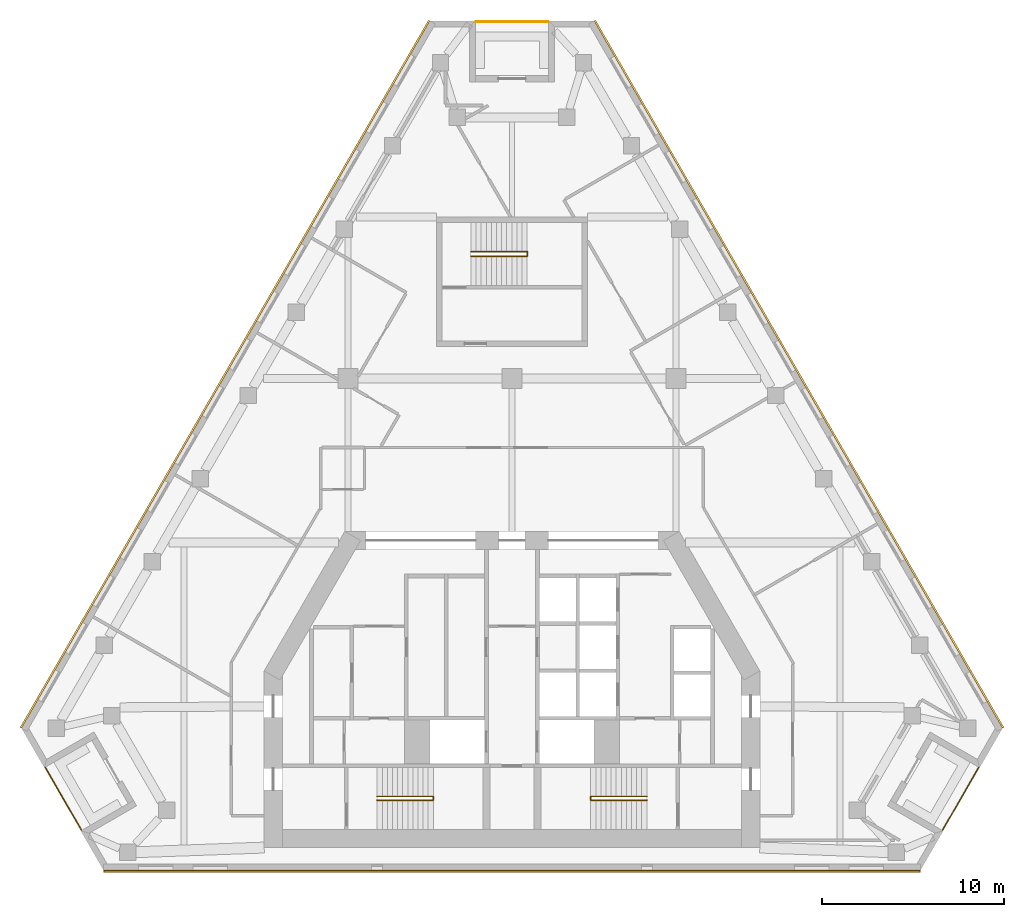
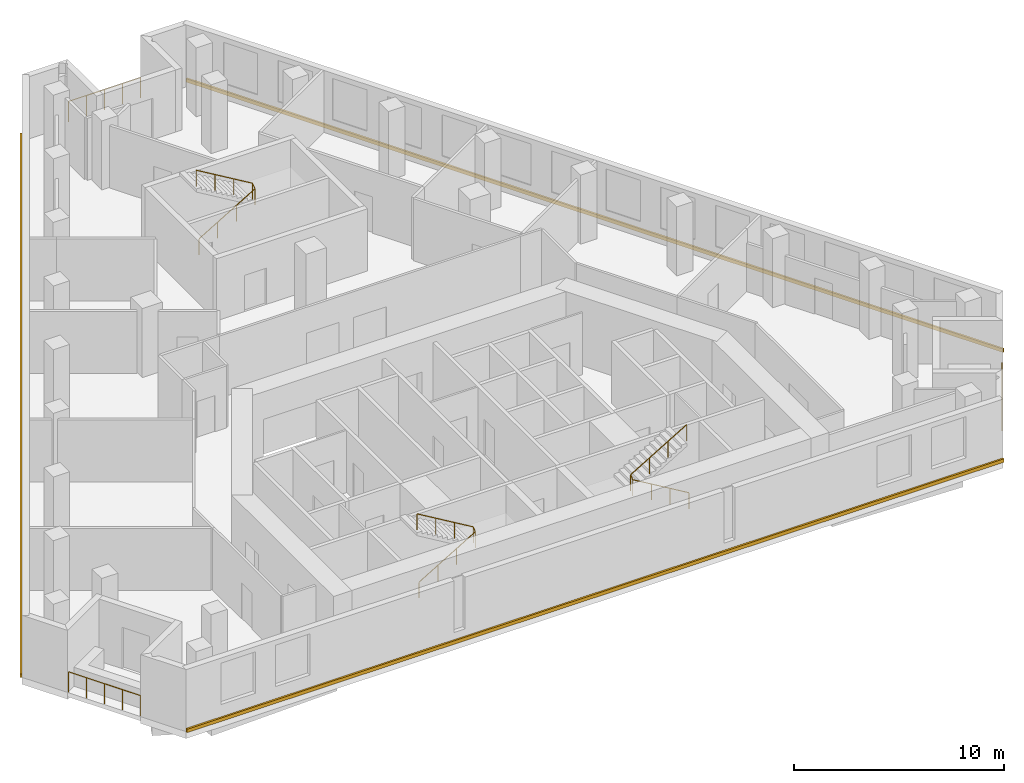
# One storey, part 8 of 8: 6 railings, 3 coverings.
"""IFC4 building model written with IfcOpenShell, lengths in metres."""

import ifcopenshell
import ifcopenshell.guid

model = None  # the IFC model being written
_history = None  # IfcOwnerHistory: only IFC2X3 demands one
_inside = {}  # id of a spatial element -> (the spatial element, [elements in it])
_under = {}  # id of a project, library or spatial element -> (it, [spatial elements below it])
_declared = {}  # id of a project -> (the project, [libraries it declares])
_typed = {}  # id of a type object -> (the type object, [elements of that type])
_made_of = {}  # id of a material, layer set ... -> (it, [elements and type objects made of it])


def new_model(schema):
    """Start an empty IFC model of exactly this schema.

    Asked for "IFC4X3", IfcOpenShell would pick the latest addendum, in which some entities
    have other attributes; the version numbers below select the first issue.
    IFC2X3 requires an IfcOwnerHistory on every rooted entity: one is made here for all.
    """
    global model, _history
    if schema == "IFC4X3":
        model = ifcopenshell.file(schema_version=(4, 3, 0, 0))
    else:
        model = ifcopenshell.file(schema=schema)
    _inside.clear()
    _under.clear()
    _declared.clear()
    _typed.clear()
    _made_of.clear()
    _history = None
    if model.schema == "IFC2X3":
        org = make("IfcOrganization", Name="unknown")
        user = make(
            "IfcPersonAndOrganization",
            ThePerson=make("IfcPerson", FamilyName="unknown"),
            TheOrganization=org,
        )
        app = make(
            "IfcApplication",
            ApplicationDeveloper=org,
            Version="unknown",
            ApplicationFullName="unknown",
            ApplicationIdentifier="unknown",
        )
        _history = make(
            "IfcOwnerHistory",
            OwningUser=user,
            OwningApplication=app,
            ChangeAction="ADDED",
            CreationDate=0,
        )
    return model


def make(cls, **values):
    """One entity of the class cls with the attributes given. An attribute that is None is left unset."""
    return model.create_entity(
        cls, **{name: value for name, value in values.items() if value is not None}
    )


def rooted(cls, **values):
    """An entity with a GlobalId (a new one), such as an element, a storey or a relation."""
    return make(cls, GlobalId=ifcopenshell.guid.new(), OwnerHistory=_history, **values)


def si_unit(unit_type, name, prefix=None):
    """IfcSIUnit, for example si_unit("LENGTHUNIT", "METRE", prefix="MILLI")."""
    return make("IfcSIUnit", UnitType=unit_type, Prefix=prefix, Name=name)


def assignment(units):
    """IfcUnitAssignment: the units of a project."""
    return None if units is None else make("IfcUnitAssignment", Units=units)


def point(xyz):
    """IfcCartesianPoint."""
    return None if xyz is None else make("IfcCartesianPoint", Coordinates=xyz)


def direction(xyz):
    """IfcDirection."""
    return None if xyz is None else make("IfcDirection", DirectionRatios=xyz)


def frame(location, z_axis=None, x_axis=None):
    """IfcAxis2Placement3D, a coordinate frame: its origin and axes. An axis left out is left unset."""
    return make(
        "IfcAxis2Placement3D",
        Location=point(location),
        Axis=direction(z_axis),
        RefDirection=direction(x_axis),
    )


def frame_2d(location, x_axis=None):
    """IfcAxis2Placement2D, a coordinate frame in the plane: its origin and x axis."""
    return make(
        "IfcAxis2Placement2D", Location=point(location), RefDirection=direction(x_axis)
    )


def origin():
    """The frame at (0, 0, 0) with its axes left unset."""
    return frame((0.0, 0.0, 0.0))


def origin_2d():
    """The frame at (0, 0) in the plane with its x axis left unset."""
    return frame_2d((0.0, 0.0))


def place(relative_to, where):
    """IfcLocalPlacement: puts the frame where relative to a parent placement (None: the world)."""
    return make(
        "IfcLocalPlacement", PlacementRelTo=relative_to, RelativePlacement=where
    )


def context(
    kind, dimensions, precision=None, world=None, true_north=None, identifier=None
):
    """IfcGeometricRepresentationContext, for example the 3D "Model" context."""
    return make(
        "IfcGeometricRepresentationContext",
        ContextIdentifier=identifier,
        ContextType=kind,
        CoordinateSpaceDimension=dimensions,
        Precision=precision,
        WorldCoordinateSystem=world,
        TrueNorth=true_north,
    )


def subcontext(parent, identifier, kind, view, scale=None):
    """IfcGeometricRepresentationSubContext, for example "Body" below "Model"."""
    return make(
        "IfcGeometricRepresentationSubContext",
        ContextIdentifier=identifier,
        ContextType=kind,
        ParentContext=parent,
        TargetScale=scale,
        TargetView=view,
    )


def project(units=None, contexts=None):
    """IfcProject with its units and contexts."""
    return rooted(
        "IfcProject",
        Name="project",
        RepresentationContexts=contexts,
        UnitsInContext=assignment(units),
    )


def spatial(cls, under=None, at=None, **own):
    """A site, building, storey or space (cls), placed at a placement, below another one or the project."""
    s = rooted(cls, ObjectPlacement=at, **own)
    if under is not None:
        _under.setdefault(under.id(), (under, []))[1].append(s)
    return s


def polyline(points):
    """IfcPolyline through the points."""
    return make("IfcPolyline", Points=[point(p) for p in points])


def profile(cls, at=None, kind="AREA", **sizes):
    """A parametric profile (cls). Its sizes go by their IFC names, for example OverallWidth=200.0."""
    return make(cls, ProfileType=kind, Position=at, **sizes)


def circle(**sizes):
    """IfcCircleProfileDef."""
    return profile("IfcCircleProfileDef", **sizes)


def outline(outer, holes=None, kind="AREA"):
    """IfcArbitraryClosedProfileDef: a profile drawn as a closed curve; with holes, ...WithVoids."""
    if holes is None:
        return make("IfcArbitraryClosedProfileDef", ProfileType=kind, OuterCurve=outer)
    return make(
        "IfcArbitraryProfileDefWithVoids",
        ProfileType=kind,
        OuterCurve=outer,
        InnerCurves=holes,
    )


def extrude(swept, where, along, depth):
    """IfcExtrudedAreaSolid: the profile swept, set in the frame where, extruded along a direction by depth."""
    return make(
        "IfcExtrudedAreaSolid",
        SweptArea=swept,
        Position=where,
        ExtrudedDirection=direction(along),
        Depth=depth,
    )


def shape(context_of_items, identifier, shape_type, items):
    """IfcShapeRepresentation: the items that make up one representation, for example the "Body"."""
    return make(
        "IfcShapeRepresentation",
        ContextOfItems=context_of_items,
        RepresentationIdentifier=identifier,
        RepresentationType=shape_type,
        Items=items,
    )


def material(Name=None, Category=None):
    """IfcMaterial."""
    return make("IfcMaterial", Name=Name, Category=Category)


def made_of(thing, what):
    """Note that an element or type object is made of a material, layer set ...; save() writes the relation."""
    if what is not None:
        _made_of.setdefault(what.id(), (what, []))[1].append(thing)
    return thing


def type_object(cls, material=None, **own):
    """A type object (cls), such as IfcWallType, which elements share."""
    return made_of(rooted(cls, **own), material)


def element(
    cls,
    number,
    at=None,
    inside=None,
    cuts=None,
    type_object=None,
    material=None,
    context=None,
    identifier="Body",
    shape_type=None,
    held_by="IfcProductDefinitionShape",
    body=None,
    shapes=None,
    **own,
):
    """One element of the class cls, such as IfcWall. Its Tag is "e" and its number.

    at: its placement. inside: the storey or other place that contains it. cuts: it is an
    opening in that element (IfcRelVoidsElement). A single representation is given by context,
    identifier, shape_type and body (its items); several are given by shapes. held_by: the class
    of the entity that holds the representations. save() writes the other relations.
    """
    e = rooted(cls, Tag="e%d" % number, ObjectPlacement=at, **own)
    if body is not None:
        shapes = [shape(context, identifier, shape_type, body)]
    if shapes is not None:
        e.Representation = make(held_by, Representations=shapes)
    if inside is not None:
        _inside.setdefault(inside.id(), (inside, []))[1].append(e)
    if cuts is not None:
        rooted(
            "IfcRelVoidsElement", RelatingBuildingElement=cuts, RelatedOpeningElement=e
        )
    if type_object is not None:
        _typed.setdefault(type_object.id(), (type_object, []))[1].append(e)
    return made_of(e, material)


def aggregate(whole, parts):
    """IfcRelAggregates: a whole, such as a stair, and the parts it consists of."""
    return rooted("IfcRelAggregates", RelatingObject=whole, RelatedObjects=parts)


def save(model, path):
    """Write the relations noted so far, then the file.

    IfcRelAggregates (storeys below a building ...), IfcRelContainedInSpatialStructure (elements
    in a storey), IfcRelDefinesByType, IfcRelAssociatesMaterial and IfcRelDeclares: one each for
    every whole, place, type object, material and project.
    """
    for whole, parts in _under.values():
        aggregate(whole, parts)
    for where, things in _inside.values():
        rooted(
            "IfcRelContainedInSpatialStructure",
            RelatedElements=things,
            RelatingStructure=where,
        )
    for kind, things in _typed.values():
        rooted("IfcRelDefinesByType", RelatedObjects=things, RelatingType=kind)
    for what, things in _made_of.values():
        rooted("IfcRelAssociatesMaterial", RelatedObjects=things, RelatingMaterial=what)
    for by, libraries in _declared.values():
        rooted("IfcRelDeclares", RelatingContext=by, RelatedDefinitions=libraries)
    model.write(path)


model = new_model("IFC4")

# Units and contexts
model_context = context("Model", 3, precision=1e-05, world=origin(), true_north=direction((0.0, 1.0)))
body_context = subcontext(model_context, "Body", "Model", "MODEL_VIEW")
ifc_project = project(units=[si_unit("LENGTHUNIT", "METRE"), si_unit("AREAUNIT", "SQUARE_METRE"), si_unit("VOLUMEUNIT", "CUBIC_METRE"), si_unit("PLANEANGLEUNIT", "RADIAN"), si_unit("MASSUNIT", "GRAM", prefix="KILO")], contexts=[model_context])

# Site, building, storey
site_placement = place(None, origin())
site = spatial("IfcSite", under=ifc_project, at=site_placement, CompositionType="ELEMENT")
building_placement = place(site_placement, origin())
building = spatial("IfcBuilding", under=site, at=building_placement, Name="Fogline Exchange Tower", CompositionType="ELEMENT")
storey_placement = place(building_placement, frame((0.0, 0.0, 223.5)))
storey = spatial("IfcBuildingStorey", under=building, at=storey_placement, Name="L50", CompositionType="ELEMENT", Elevation=223.5)

# Railings
ifc_material_1 = material(Name="Stainless steel 304", Category="steel")
railing_type_1 = type_object("IfcRailingType", Name="G1", PredefinedType="GUARDRAIL", material=ifc_material_1)
railing_1_placement = place(storey_placement, frame((-25.6103515625, 5.635986328125, 0.0)))
element("IfcRailing", 1, at=railing_1_placement, inside=storey, type_object=railing_type_1, Name="Balcony guard L50 SW", PredefinedType="GUARDRAIL", context=body_context, shape_type="SweptSolid", body=[
    extrude(circle(Radius=0.02392578125, at=origin_2d()), frame((0.0, 0.0, 1.17578125), z_axis=(0.500000102728, -0.866025344474, 0.0), x_axis=(0.866025344474, 0.500000102728, 0.0)), (0.0, 0.0, 1.0), 3.9580078125),
    extrude(circle(Radius=0.02099609375, at=origin_2d()), origin(), (0.0, 0.0, 1.0), 1.15185546875),
    extrude(circle(Radius=0.02099609375, at=origin_2d()), frame((0.49462890625, -0.85693359375, 0.0)), (0.0, 0.0, 1.0), 1.15185546875),
    extrude(circle(Radius=0.02099609375, at=origin_2d()), frame((0.989501953125, -1.7138671875, 0.0)), (0.0, 0.0, 1.0), 1.15185546875),
    extrude(circle(Radius=0.02099609375, at=origin_2d()), frame((1.484375, -2.57080078125, 0.0)), (0.0, 0.0, 1.0), 1.15185546875),
    extrude(circle(Radius=0.02099609375, at=origin_2d()), frame((1.97900390625, -3.427734375, 0.0)), (0.0, 0.0, 1.0), 1.15185546875),
])
railing_2_placement = place(storey_placement, frame((23.63134765625, 2.208251953125, 0.0)))
element("IfcRailing", 2, at=railing_2_placement, inside=storey, type_object=railing_type_1, Name="Balcony guard L50 SE", PredefinedType="GUARDRAIL", context=body_context, shape_type="SweptSolid", body=[
    extrude(circle(Radius=0.02392578125, at=origin_2d()), frame((0.0, 0.0, 1.17578125), z_axis=(0.500000102728, 0.866025344474, 0.0), x_axis=(-0.866025344474, 0.500000102728, 0.0)), (0.0, 0.0, 1.0), 3.9580078125),
    extrude(circle(Radius=0.02099609375, at=origin_2d()), origin(), (0.0, 0.0, 1.0), 1.15185546875),
    extrude(circle(Radius=0.02099609375, at=origin_2d()), frame((0.49462890625, 0.85693359375, 0.0)), (0.0, 0.0, 1.0), 1.15185546875),
    extrude(circle(Radius=0.02099609375, at=origin_2d()), frame((0.989501953125, 1.7138671875, 0.0)), (0.0, 0.0, 1.0), 1.15185546875),
    extrude(circle(Radius=0.02099609375, at=origin_2d()), frame((1.484375, 2.57080078125, 0.0)), (0.0, 0.0, 1.0), 1.15185546875),
    extrude(circle(Radius=0.02099609375, at=origin_2d()), frame((1.97900390625, 3.427734375, 0.0)), (0.0, 0.0, 1.0), 1.15185546875),
])
railing_3_placement = place(storey_placement, frame((1.97900390625, 46.566650390625, 0.0)))
element("IfcRailing", 3, at=railing_3_placement, inside=storey, type_object=railing_type_1, Name="Balcony guard L50 N", PredefinedType="GUARDRAIL", context=body_context, shape_type="SweptSolid", body=[
    extrude(circle(Radius=0.02392578125, at=origin_2d()), frame((0.0, 0.0, 1.17578125), z_axis=(-1.0, 0.0, 0.0), x_axis=(0.0, -1.0, 0.0)), (0.0, 0.0, 1.0), 3.9580078125),
    extrude(circle(Radius=0.02099609375, at=origin_2d()), origin(), (0.0, 0.0, 1.0), 1.15185546875),
    extrude(circle(Radius=0.02099609375, at=origin_2d()), frame((-0.989501953125, 0.0, 0.0)), (0.0, 0.0, 1.0), 1.15185546875),
    extrude(circle(Radius=0.02099609375, at=origin_2d()), frame((-1.97900390625, 0.0, 0.0)), (0.0, 0.0, 1.0), 1.15185546875),
    extrude(circle(Radius=0.02099609375, at=origin_2d()), frame((-2.968505859375, 0.0, 0.0)), (0.0, 0.0, 1.0), 1.15185546875),
    extrude(circle(Radius=0.02099609375, at=origin_2d()), frame((-3.9580078125, 0.0, 0.0)), (0.0, 0.0, 1.0), 1.15185546875),
])
ifc_material_2 = material(Name="Steel Q235B", Category="steel")
railing_type_2 = type_object("IfcRailingType", Name="RL-HR", PredefinedType="HANDRAIL", material=ifc_material_2)
railing_4_placement = place(storey_placement, frame((-7.39990234375, 3.85009765625, 0.166748046875)))
element("IfcRailing", 4, at=railing_4_placement, inside=storey, type_object=railing_type_2, Name="Handrail ST1", PredefinedType="HANDRAIL", context=body_context, shape_type="SweptSolid", body=[
    extrude(circle(Radius=0.02392578125, at=origin_2d()), frame((0.0, 0.0, 0.92578125), z_axis=(0.859290745958, 0.0, 0.51148745235), x_axis=(0.0, 1.0, 0.0)), (0.0, 0.0, 1.0), 3.584228515625),
    extrude(circle(Radius=0.02392578125, at=origin_2d()), frame((3.079833984375, 0.0, 2.75927734375), z_axis=(0.0, 0.767990643491, 0.640461061666), x_axis=(-1.0, 0.0, 0.0)), (0.0, 0.0, 1.0), 0.26025390625),
    extrude(circle(Radius=0.02392578125, at=origin_2d()), frame((3.079833984375, 0.199951171875, 2.92578125), z_axis=(-0.859290745958, 0.0, 0.51148745235), x_axis=(0.0, -1.0, 0.0)), (0.0, 0.0, 1.0), 3.584228515625),
    extrude(circle(Radius=0.02099609375, at=origin_2d()), origin(), (0.0, 0.0, 1.0), 0.90185546875),
    extrude(circle(Radius=0.02099609375, at=origin_2d()), frame((1.026611328125, 0.0, 0.611083984375)), (0.0, 0.0, 1.0), 0.90185546875),
    extrude(circle(Radius=0.02099609375, at=origin_2d()), frame((2.05322265625, 0.0, 1.22216796875)), (0.0, 0.0, 1.0), 0.90185546875),
    extrude(circle(Radius=0.02099609375, at=origin_2d()), frame((3.079833984375, 0.0, 1.833251953125)), (0.0, 0.0, 1.0), 0.90185546875),
    extrude(circle(Radius=0.02099609375, at=origin_2d()), frame((3.079833984375, 0.199951171875, 2.0)), (0.0, 0.0, 1.0), 0.90185546875),
    extrude(circle(Radius=0.02099609375, at=origin_2d()), frame((2.05322265625, 0.199951171875, 2.611083984375)), (0.0, 0.0, 1.0), 0.90185546875),
    extrude(circle(Radius=0.02099609375, at=origin_2d()), frame((1.026611328125, 0.199951171875, 3.22216796875)), (0.0, 0.0, 1.0), 0.90185546875),
    extrude(circle(Radius=0.02099609375, at=origin_2d()), frame((0.0, 0.199951171875, 3.833251953125)), (0.0, 0.0, 1.0), 0.90185546875),
])
railing_5_placement = place(storey_placement, frame((7.39990234375, 3.85009765625, 0.166748046875)))
element("IfcRailing", 5, at=railing_5_placement, inside=storey, type_object=railing_type_2, Name="Handrail ST2", PredefinedType="HANDRAIL", context=body_context, shape_type="SweptSolid", body=[
    extrude(circle(Radius=0.02392578125, at=origin_2d()), frame((0.0, 0.0, 0.92578125), z_axis=(-0.859290745958, 0.0, 0.51148745235), x_axis=(0.0, -1.0, 0.0)), (0.0, 0.0, 1.0), 3.584228515625),
    extrude(circle(Radius=0.02392578125, at=origin_2d()), frame((-3.079833984375, 0.0, 2.75927734375), z_axis=(0.0, 0.767990643491, 0.640461061666), x_axis=(-1.0, 0.0, 0.0)), (0.0, 0.0, 1.0), 0.26025390625),
    extrude(circle(Radius=0.02392578125, at=origin_2d()), frame((-3.079833984375, 0.199951171875, 2.92578125), z_axis=(0.859290745958, 0.0, 0.51148745235), x_axis=(0.0, 1.0, 0.0)), (0.0, 0.0, 1.0), 3.584228515625),
    extrude(circle(Radius=0.02099609375, at=origin_2d()), origin(), (0.0, 0.0, 1.0), 0.90185546875),
    extrude(circle(Radius=0.02099609375, at=origin_2d()), frame((-1.026611328125, 0.0, 0.611083984375)), (0.0, 0.0, 1.0), 0.90185546875),
    extrude(circle(Radius=0.02099609375, at=origin_2d()), frame((-2.05322265625, 0.0, 1.22216796875)), (0.0, 0.0, 1.0), 0.90185546875),
    extrude(circle(Radius=0.02099609375, at=origin_2d()), frame((-3.079833984375, 0.0, 1.833251953125)), (0.0, 0.0, 1.0), 0.90185546875),
    extrude(circle(Radius=0.02099609375, at=origin_2d()), frame((-3.079833984375, 0.199951171875, 2.0)), (0.0, 0.0, 1.0), 0.90185546875),
    extrude(circle(Radius=0.02099609375, at=origin_2d()), frame((-2.05322265625, 0.199951171875, 2.611083984375)), (0.0, 0.0, 1.0), 0.90185546875),
    extrude(circle(Radius=0.02099609375, at=origin_2d()), frame((-1.026611328125, 0.199951171875, 3.22216796875)), (0.0, 0.0, 1.0), 0.90185546875),
    extrude(circle(Radius=0.02099609375, at=origin_2d()), frame((0.0, 0.199951171875, 3.833251953125)), (0.0, 0.0, 1.0), 0.90185546875),
])
railing_6_placement = place(storey_placement, frame((-2.25, 33.70703125, 0.166748046875)))
element("IfcRailing", 6, at=railing_6_placement, inside=storey, type_object=railing_type_2, Name="Handrail ST3", PredefinedType="HANDRAIL", context=body_context, shape_type="SweptSolid", body=[
    extrude(circle(Radius=0.02392578125, at=origin_2d()), frame((0.0, 0.0, 0.92578125), z_axis=(0.859308565015, 0.0, 0.511457515432), x_axis=(0.0, 1.0, 0.0)), (0.0, 0.0, 1.0), 3.58447265625),
    extrude(circle(Radius=0.02392578125, at=origin_2d()), frame((3.080078125, 0.0, 2.75927734375), z_axis=(0.0, 0.831925284441, 0.554887665306), x_axis=(-1.0, 0.0, 0.0)), (0.0, 0.0, 1.0), 0.300537109375),
    extrude(circle(Radius=0.02392578125, at=origin_2d()), frame((3.080078125, 0.25, 2.92578125), z_axis=(-0.859308565015, 0.0, 0.511457515432), x_axis=(0.0, -1.0, 0.0)), (0.0, 0.0, 1.0), 3.58447265625),
    extrude(circle(Radius=0.02099609375, at=origin_2d()), origin(), (0.0, 0.0, 1.0), 0.90185546875),
    extrude(circle(Radius=0.02099609375, at=origin_2d()), frame((1.026611328125, 0.0, 0.611083984375)), (0.0, 0.0, 1.0), 0.90185546875),
    extrude(circle(Radius=0.02099609375, at=origin_2d()), frame((2.053466796875, 0.0, 1.22216796875)), (0.0, 0.0, 1.0), 0.90185546875),
    extrude(circle(Radius=0.02099609375, at=origin_2d()), frame((3.080078125, 0.0, 1.833251953125)), (0.0, 0.0, 1.0), 0.90185546875),
    extrude(circle(Radius=0.02099609375, at=origin_2d()), frame((3.080078125, 0.25, 2.0)), (0.0, 0.0, 1.0), 0.90185546875),
    extrude(circle(Radius=0.02099609375, at=origin_2d()), frame((2.053466796875, 0.25, 2.611083984375)), (0.0, 0.0, 1.0), 0.90185546875),
    extrude(circle(Radius=0.02099609375, at=origin_2d()), frame((1.026611328125, 0.25, 3.22216796875)), (0.0, 0.0, 1.0), 0.90185546875),
    extrude(circle(Radius=0.02099609375, at=origin_2d()), frame((0.0, 0.25, 3.833251953125)), (0.0, 0.0, 1.0), 0.90185546875),
])

# Coverings
ifc_material_3 = material(Name="Brick masonry", Category="masonry")
covering_type = type_object("IfcCoveringType", Name="SB1", PredefinedType="CLADDING", material=ifc_material_3)
covering_1_placement = place(storey_placement, origin())
element("IfcCovering", 7, at=covering_1_placement, inside=storey, type_object=covering_type, Name="Stringcourse band L50 S", PredefinedType="CLADDING", context=body_context, shape_type="SweptSolid", body=[
    extrude(outline(polyline([(-22.4140625, 0.0), (-22.4140625, -0.10009765625), (22.4140625, -0.10009765625), (22.4140625, 0.0), (-22.4140625, 0.0)])), origin(), (0.0, 0.0, 1.0), 0.199951171875),
])
covering_2_placement = place(storey_placement, origin())
element("IfcCovering", 8, at=covering_2_placement, inside=storey, type_object=covering_type, Name="Stringcourse band L50 E", PredefinedType="CLADDING", context=body_context, shape_type="SweptSolid", body=[
    extrude(outline(polyline([(26.9140625, 7.794189453125), (27.000732421875, 7.84423828125), (4.586669921875, 46.666748046875), (4.5, 46.61669921875), (26.9140625, 7.794189453125)])), origin(), (0.0, 0.0, 1.0), 0.199951171875),
])
covering_3_placement = place(storey_placement, origin())
element("IfcCovering", 9, at=covering_3_placement, inside=storey, type_object=covering_type, Name="Stringcourse band L50 W", PredefinedType="CLADDING", context=body_context, shape_type="SweptSolid", body=[
    extrude(outline(polyline([(-4.5, 46.61669921875), (-4.586669921875, 46.666748046875), (-27.000732421875, 7.84423828125), (-26.9140625, 7.794189453125), (-4.5, 46.61669921875)])), origin(), (0.0, 0.0, 1.0), 0.199951171875),
])

save(model, "model.ifc")
